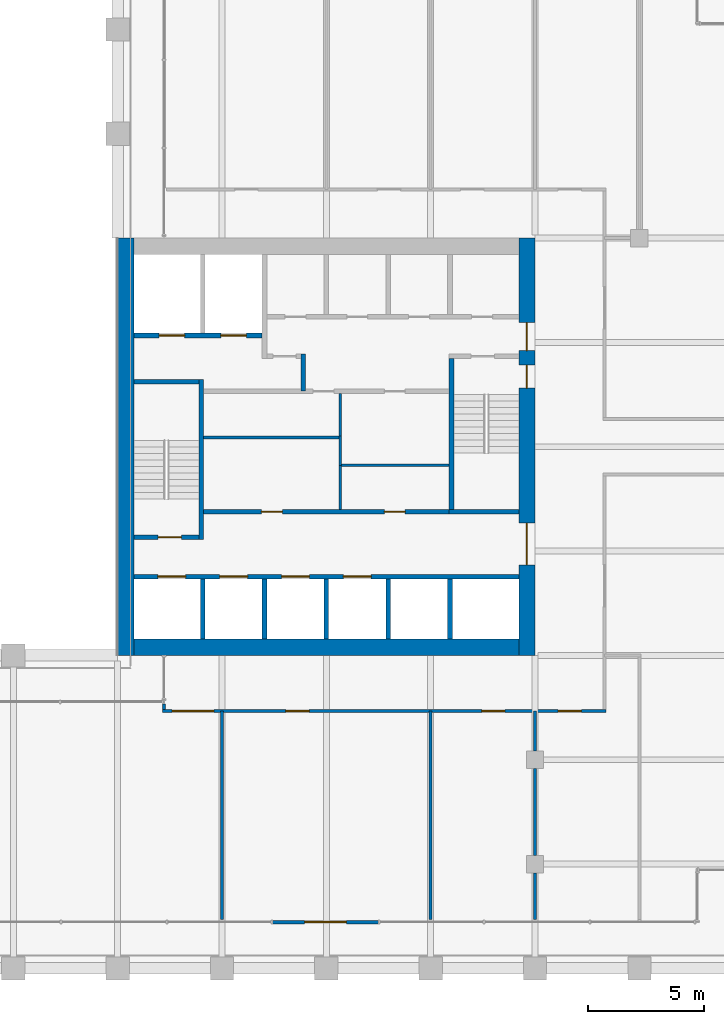
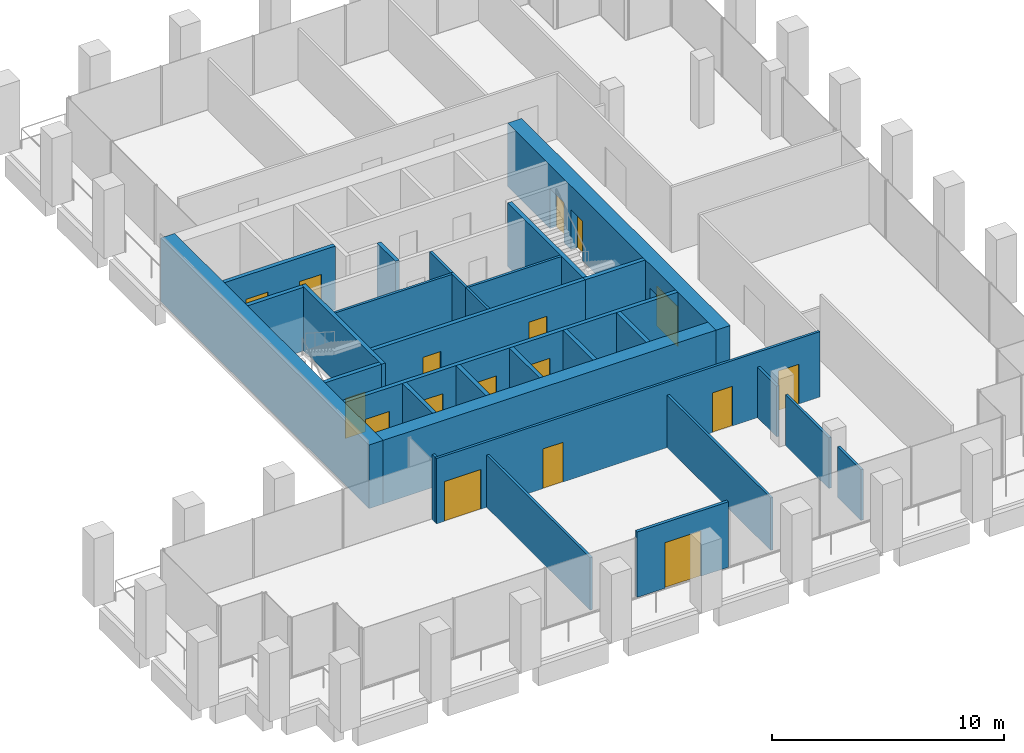
# One storey, part 41 of 46: 30 walls, 17 doors, 17 openings.
"""IFC4 building model written with IfcOpenShell, lengths in metres."""

from ifc_helpers import new_model, si_unit, direction, frame, frame_2d, origin, place, context, subcontext, project, spatial, rectangle, extrude, material, layer, layer_set, type_object, element, fill, save


model = new_model("IFC4")

# Units and contexts
model_context = context("Model", 3, precision=1e-05, world=origin(), true_north=direction((0.0, 1.0)))
body_context = subcontext(model_context, "Body", "Model", "MODEL_VIEW")
ifc_project = project(units=[si_unit("LENGTHUNIT", "METRE"), si_unit("AREAUNIT", "SQUARE_METRE"), si_unit("VOLUMEUNIT", "CUBIC_METRE"), si_unit("PLANEANGLEUNIT", "RADIAN"), si_unit("MASSUNIT", "GRAM", prefix="KILO")], contexts=[model_context])

# Site, building, storey
site_placement = place(None, origin())
site = spatial("IfcSite", under=ifc_project, at=site_placement, CompositionType="ELEMENT")
building_placement = place(site_placement, origin())
building = spatial("IfcBuilding", under=site, at=building_placement, Name="Altepetl Exchange Towers", CompositionType="ELEMENT")
storey_placement = place(building_placement, frame((0.0, 0.0, 124.39990234375)))
storey = spatial("IfcBuildingStorey", under=building, at=storey_placement, Name="L30", CompositionType="ELEMENT", Elevation=124.39990234375)

# Wall, openings, doors
ifc_material_1 = material(Name="Concrete C70/85", Category="concrete")
ifc_layer_1 = layer(ifc_material_1, 0.699951171875)
ifc_layer_set_1 = layer_set([ifc_layer_1], Name="Concrete C70/85")
wall_type_1 = type_object("IfcWallType", Name="Core wall 700 reinforced concrete", PredefinedType="SHEAR", material=ifc_layer_set_1)
wall_1_placement = place(storey_placement, frame((58.14990234375, 40.5, 0.0), z_axis=(0.0, 0.0, 1.0), x_axis=(0.0, 1.0, 0.0)))
wall_1 = element("IfcWall", 1, at=wall_1_placement, inside=storey, type_object=wall_type_1, Name="wall:A:L30:K-coreE", PredefinedType="SHEAR", context=body_context, shape_type="SweptSolid", body=[
    extrude(rectangle(XDim=18.0, YDim=0.699951171875, at=frame_2d((9.0, 0.0))), origin(), (0.0, 0.0, 1.0), 3.35009765625),
])
opening_1_placement = place(wall_1_placement, frame((13.14990234375, 0.0, 0.0)))
opening_1 = element("IfcOpeningElement", 2, at=opening_1_placement, cuts=wall_1, Name="Opening L30.A60", PredefinedType="OPENING", context=body_context, shape_type="SweptSolid", body=[
    extrude(rectangle(XDim=1.199951171875, YDim=2.10009765625, at=frame_2d((0.60009765625, 1.050048828125))), frame((0.0, 0.35986328125, 0.0), z_axis=(0.0, -1.0, 0.0), x_axis=(1.0, 0.0, 0.0)), (0.0, 0.0, 1.0), 0.719970703125),
])
opening_2_placement = place(wall_1_placement, frame((3.89990234375, 0.0, 0.0)))
opening_2 = element("IfcOpeningElement", 3, at=opening_2_placement, cuts=wall_1, Name="Opening L30.A61", PredefinedType="OPENING", context=body_context, shape_type="SweptSolid", body=[
    extrude(rectangle(XDim=1.800048828125, YDim=2.10009765625, at=frame_2d((0.89990234375, 1.050048828125))), frame((0.0, 0.35986328125, 0.0), z_axis=(0.0, -1.0, 0.0), x_axis=(1.0, 0.0, 0.0)), (0.0, 0.0, 1.0), 0.719970703125),
])
opening_3_placement = place(wall_1_placement, frame((11.52490234375, 0.0, 0.0)))
opening_3 = element("IfcOpeningElement", 4, at=opening_3_placement, cuts=wall_1, Name="Opening L30.A64", PredefinedType="OPENING", context=body_context, shape_type="SweptSolid", body=[
    extrude(rectangle(XDim=1.0, YDim=2.10009765625, at=frame_2d((0.5, 1.050048828125))), frame((0.0, 0.35986328125, 0.0), z_axis=(0.0, -1.0, 0.0), x_axis=(1.0, 0.0, 0.0)), (0.0, 0.0, 1.0), 0.719970703125),
])
ifc_material_2 = material(Name="Steel and timber fire door", Category="steel")
door_type_1 = type_object("IfcDoorType", Name="Fire door 1000 x 2100 stair and lobby", OperationType="SINGLE_SWING_LEFT", PredefinedType="DOOR", material=ifc_material_2)
door_1_placement = place(opening_3_placement, origin())
door_1 = element("IfcDoor", 5, at=door_1_placement, inside=storey, type_object=door_type_1, Name="door:A:L30:K-dS2x", OperationType="SINGLE_SWING_RIGHT", OverallHeight=2.10009765625, OverallWidth=1.0, PredefinedType="DOOR", context=body_context, shape_type="SweptSolid", body=[
    extrude(rectangle(XDim=1.0, YDim=2.10009765625, at=frame_2d((0.5, 1.050048828125))), frame((0.0, 0.02490234375, 0.0), z_axis=(0.0, -1.0, 0.0), x_axis=(1.0, 0.0, 0.0)), (0.0, 0.0, 1.0), 0.050048828125),
])
fill(opening_3, door_1)
door_type_2 = type_object("IfcDoorType", Name="Fire door 1200 x 2100 lobby entry", OperationType="SINGLE_SWING_LEFT", PredefinedType="DOOR", material=ifc_material_2)
door_2_placement = place(opening_1_placement, origin())
door_2 = element("IfcDoor", 6, at=door_2_placement, inside=storey, type_object=door_type_2, Name="door:A:L30:K-dLNE", OperationType="SINGLE_SWING_RIGHT", OverallHeight=2.10009765625, OverallWidth=1.199951171875, PredefinedType="DOOR", context=body_context, shape_type="SweptSolid", body=[
    extrude(rectangle(XDim=1.199951171875, YDim=2.10009765625, at=frame_2d((0.60009765625, 1.050048828125))), frame((0.0, 0.02490234375, 0.0), z_axis=(0.0, -1.0, 0.0), x_axis=(1.0, 0.0, 0.0)), (0.0, 0.0, 1.0), 0.050048828125),
])
fill(opening_1, door_2)
door_type_3 = type_object("IfcDoorType", Name="Fire door 1800 x 2100 lobby entry", OperationType="DOUBLE_DOOR_SINGLE_SWING", PredefinedType="DOOR", material=ifc_material_2)
door_3_placement = place(opening_2_placement, origin())
door_3 = element("IfcDoor", 7, at=door_3_placement, inside=storey, type_object=door_type_3, Name="door:A:L30:K-dLSE", OperationType="DOUBLE_DOOR_SINGLE_SWING", OverallHeight=2.10009765625, OverallWidth=1.800048828125, PredefinedType="DOOR", context=body_context, shape_type="SweptSolid", body=[
    extrude(rectangle(XDim=1.800048828125, YDim=2.10009765625, at=frame_2d((0.89990234375, 1.050048828125))), frame((0.0, 0.02490234375, 0.0), z_axis=(0.0, -1.0, 0.0), x_axis=(1.0, 0.0, 0.0)), (0.0, 0.0, 1.0), 0.050048828125),
])
fill(opening_2, door_3)

# Walls
wall_2_placement = place(storey_placement, frame((41.199951171875, 40.85009765625, 0.0)))
element("IfcWall", 8, at=wall_2_placement, inside=storey, type_object=wall_type_1, Name="wall:A:L30:K-coreS", PredefinedType="SHEAR", context=body_context, shape_type="SweptSolid", body=[
    extrude(rectangle(XDim=16.60009765625, YDim=0.699951171875, at=frame_2d((8.300048828125, 0.0))), origin(), (0.0, 0.0, 1.0), 3.35009765625),
])
ifc_layer_2 = layer(ifc_material_1, 0.699951171875)
ifc_layer_set_2 = layer_set([ifc_layer_2], Name="Concrete C70/85")
wall_type_2 = type_object("IfcWallType", Name="Core wall 700 reinforced concrete external", PredefinedType="SHEAR", material=ifc_layer_set_2)
wall_3_placement = place(storey_placement, frame((40.85009765625, 40.5, 0.0), z_axis=(0.0, 0.0, 1.0), x_axis=(0.0, 1.0, 0.0)))
element("IfcWall", 9, at=wall_3_placement, inside=storey, type_object=wall_type_2, Name="wall:A:L30:K-coreW", PredefinedType="SHEAR", context=body_context, shape_type="SweptSolid", body=[
    extrude(rectangle(XDim=18.0, YDim=0.699951171875, at=frame_2d((9.0, 0.0))), origin(), (0.0, 0.0, 1.0), 3.35009765625),
])

# Wall, opening, door
ifc_material_3 = material(Name="Aluminium composite cladding", Category="aluminium")
ifc_layer_3 = layer(ifc_material_3, 0.14990234375)
ifc_layer_set_3 = layer_set([ifc_layer_3], Name="Aluminium composite cladding")
wall_type_3 = type_object("IfcWallType", Name="Infill wall 150 aluminium panel", PredefinedType="SOLIDWALL", material=ifc_layer_set_3)
wall_4_placement = place(storey_placement, frame((47.18212890625, 29.0, 0.0)))
wall_4 = element("IfcWall", 10, at=wall_4_placement, inside=storey, type_object=wall_type_3, Name="Loggia door bay wall", PredefinedType="SOLIDWALL", context=body_context, shape_type="SweptSolid", body=[
    extrude(rectangle(XDim=4.560791015625, YDim=0.14990234375, at=frame_2d((2.2802734375, 0.0))), origin(), (0.0, 0.0, 1.0), 3.4501953125),
])
opening_4_placement = place(wall_4_placement, frame((1.38037109375, 0.0, 0.0)))
opening_4 = element("IfcOpeningElement", 11, at=opening_4_placement, cuts=wall_4, Name="Opening L30.A90", PredefinedType="OPENING", context=body_context, shape_type="SweptSolid", body=[
    extrude(rectangle(XDim=1.800048828125, YDim=2.39990234375, at=frame_2d((0.89990234375, 1.199951171875))), frame((0.0, 0.0849609375, 0.0), z_axis=(0.0, -1.0, 0.0), x_axis=(1.0, 0.0, 0.0)), (0.0, 0.0, 1.0), 0.169921875),
])
ifc_material_4 = material(Name="Aluminium 6063-T6 and glass", Category="aluminium")
door_type_4 = type_object("IfcDoorType", Name="Glazed door pair 1800x2400", OperationType="DOUBLE_DOOR_DOUBLE_SWING", PredefinedType="NOTDEFINED", material=ifc_material_4)
door_4_placement = place(opening_4_placement, frame((1.800048828125, 0.0, 0.0), x_axis=(-1.0, 0.0, 0.0)))
door_4 = element("IfcDoor", 12, at=door_4_placement, inside=storey, type_object=door_type_4, Name="Loggia door", OperationType="DOUBLE_DOOR_DOUBLE_SWING", OverallHeight=2.39990234375, OverallWidth=1.800048828125, PredefinedType="NOTDEFINED", context=body_context, shape_type="SweptSolid", body=[
    extrude(rectangle(XDim=1.800048828125, YDim=2.39990234375, at=frame_2d((0.89990234375, 1.199951171875))), frame((0.0, 0.02490234375, 0.0), z_axis=(0.0, -1.0, 0.0), x_axis=(1.0, 0.0, 0.0)), (0.0, 0.0, 1.0), 0.050048828125),
])
fill(opening_4, door_4)

# Wall
ifc_material_5 = material(Name="Concrete blockwork", Category="masonry")
ifc_layer_4 = layer(ifc_material_5, 0.199951171875)
ifc_layer_set_4 = layer_set([ifc_layer_4], Name="Concrete blockwork")
wall_type_4 = type_object("IfcWallType", Name="Lobby wall 200 blockwork", PredefinedType="PARTITIONING", material=ifc_layer_set_4)
wall_5_placement = place(storey_placement, frame((48.5, 51.89990234375, 0.0), z_axis=(0.0, 0.0, 1.0), x_axis=(0.0, 1.0, 0.0)))
element("IfcWall", 13, at=wall_5_placement, inside=storey, type_object=wall_type_4, Name="wall:A:L30:K-ffE", PredefinedType="PARTITIONING", context=body_context, shape_type="SweptSolid", body=[
    extrude(rectangle(XDim=1.60009765625, YDim=0.199951171875, at=frame_2d((0.800048828125, 0.0))), origin(), (0.0, 0.0, 1.0), 3.35009765625),
])

# Wall, openings, doors
wall_6_placement = place(storey_placement, frame((44.199951171875, 46.699951171875, 0.0)))
wall_6 = element("IfcWall", 14, at=wall_6_placement, inside=storey, type_object=wall_type_4, Name="wall:A:L30:K-zoneS", PredefinedType="PARTITIONING", context=body_context, shape_type="SweptSolid", body=[
    extrude(rectangle(XDim=10.60009765625, YDim=0.199951171875, at=frame_2d((5.300048828125, 0.0))), origin(), (0.0, 0.0, 1.0), 3.35009765625),
])
opening_5_placement = place(wall_6_placement, frame((2.5, 0.0, 0.0)))
opening_5 = element("IfcOpeningElement", 15, at=opening_5_placement, cuts=wall_6, Name="Opening L30.A70", PredefinedType="OPENING", context=body_context, shape_type="SweptSolid", body=[
    extrude(rectangle(XDim=0.89990234375, YDim=2.10009765625, at=frame_2d((0.449951171875, 1.050048828125))), frame((0.0, 0.10986328125, 0.0), z_axis=(0.0, -1.0, 0.0), x_axis=(1.0, 0.0, 0.0)), (0.0, 0.0, 1.0), 0.219970703125),
])
opening_6_placement = place(wall_6_placement, frame((7.800048828125, 0.0, 0.0)))
opening_6 = element("IfcOpeningElement", 16, at=opening_6_placement, cuts=wall_6, Name="Opening L30.A72", PredefinedType="OPENING", context=body_context, shape_type="SweptSolid", body=[
    extrude(rectangle(XDim=0.89990234375, YDim=2.10009765625, at=frame_2d((0.449951171875, 1.050048828125))), frame((0.0, 0.10986328125, 0.0), z_axis=(0.0, -1.0, 0.0), x_axis=(1.0, 0.0, 0.0)), (0.0, 0.0, 1.0), 0.219970703125),
])
door_type_5 = type_object("IfcDoorType", Name="Fire door 900 x 2100 service room", OperationType="SINGLE_SWING_LEFT", PredefinedType="DOOR", material=ifc_material_2)
door_5_placement = place(opening_5_placement, origin())
door_5 = element("IfcDoor", 17, at=door_5_placement, inside=storey, type_object=door_type_5, Name="door:A:L30:K-dz1", OperationType="SINGLE_SWING_RIGHT", OverallHeight=2.10009765625, OverallWidth=0.89990234375, PredefinedType="DOOR", context=body_context, shape_type="SweptSolid", body=[
    extrude(rectangle(XDim=0.89990234375, YDim=2.10009765625, at=frame_2d((0.449951171875, 1.050048828125))), frame((0.0, 0.02490234375, 0.0), z_axis=(0.0, -1.0, 0.0), x_axis=(1.0, 0.0, 0.0)), (0.0, 0.0, 1.0), 0.050048828125),
])
fill(opening_5, door_5)
door_6_placement = place(opening_6_placement, origin())
door_6 = element("IfcDoor", 18, at=door_6_placement, inside=storey, type_object=door_type_5, Name="door:A:L30:K-dz3", OperationType="SINGLE_SWING_RIGHT", OverallHeight=2.10009765625, OverallWidth=0.89990234375, PredefinedType="DOOR", context=body_context, shape_type="SweptSolid", body=[
    extrude(rectangle(XDim=0.89990234375, YDim=2.10009765625, at=frame_2d((0.449951171875, 1.050048828125))), frame((0.0, 0.02490234375, 0.0), z_axis=(0.0, -1.0, 0.0), x_axis=(1.0, 0.0, 0.0)), (0.0, 0.0, 1.0), 0.050048828125),
])
fill(opening_6, door_6)

# Walls
ifc_material_6 = material(Name="Gypsum board on steel studs", Category="steel")
ifc_layer_5 = layer(ifc_material_6, 0.125)
ifc_layer_set_5 = layer_set([ifc_layer_5], Name="Gypsum board on steel studs")
wall_type_5 = type_object("IfcWallType", Name="Partition 125 gypsum board on steel studs", PredefinedType="PARTITIONING", material=ifc_layer_set_5)
wall_7_placement = place(storey_placement, frame((50.10009765625, 46.800048828125, 0.0), z_axis=(0.0, 0.0, 1.0), x_axis=(0.0, 1.0, 0.0)))
element("IfcWall", 19, at=wall_7_placement, inside=storey, type_object=wall_type_5, Name="wall:A:L30:K-zp1", PredefinedType="PARTITIONING", context=body_context, shape_type="SweptSolid", body=[
    extrude(rectangle(XDim=1.96240234375, YDim=0.125, at=frame_2d((0.981201171875, 0.0))), origin(), (0.0, 0.0, 1.0), 3.35009765625),
])
wall_8_placement = place(storey_placement, frame((54.800048828125, 48.699951171875, 0.0), z_axis=(0.0, 0.0, 1.0), x_axis=(-1.0, 0.0, 0.0)))
element("IfcWall", 20, at=wall_8_placement, inside=storey, type_object=wall_type_5, Name="wall:A:L30:K-zp2", PredefinedType="PARTITIONING", context=body_context, shape_type="SweptSolid", body=[
    extrude(rectangle(XDim=4.637451171875, YDim=0.125, at=frame_2d((2.31884765625, 0.0))), origin(), (0.0, 0.0, 1.0), 3.35009765625),
])
wall_9_placement = place(storey_placement, frame((50.10009765625, 48.699951171875, 0.0), z_axis=(0.0, 0.0, 1.0), x_axis=(0.0, 1.0, 0.0)))
element("IfcWall", 21, at=wall_9_placement, inside=storey, type_object=wall_type_5, Name="wall:A:L30:K-zp3", PredefinedType="PARTITIONING", context=body_context, shape_type="SweptSolid", body=[
    extrude(rectangle(XDim=1.262451171875, YDim=0.125, at=frame_2d((0.63134765625, 0.0))), origin(), (0.0, 0.0, 1.0), 3.35009765625),
])
wall_10_placement = place(storey_placement, frame((50.03759765625, 49.89990234375, 0.0), z_axis=(0.0, 0.0, 1.0), x_axis=(-1.0, 0.0, 0.0)))
element("IfcWall", 22, at=wall_10_placement, inside=storey, type_object=wall_type_5, Name="wall:A:L30:K-zp4", PredefinedType="PARTITIONING", context=body_context, shape_type="SweptSolid", body=[
    extrude(rectangle(XDim=5.837646484375, YDim=0.125, at=frame_2d((2.9189453125, 0.0))), origin(), (0.0, 0.0, 1.0), 3.35009765625),
])
wall_11_placement = place(storey_placement, frame((50.10009765625, 49.89990234375, 0.0), z_axis=(0.0, 0.0, 1.0), x_axis=(0.0, 1.0, 0.0)))
element("IfcWall", 23, at=wall_11_placement, inside=storey, type_object=wall_type_5, Name="wall:A:L30:K-zp5", PredefinedType="PARTITIONING", context=body_context, shape_type="SweptSolid", body=[
    extrude(rectangle(XDim=1.900146484375, YDim=0.125, at=frame_2d((0.9501953125, 0.0))), origin(), (0.0, 0.0, 1.0), 3.35009765625),
])

# Wall, openings, doors
wall_12_placement = place(storey_placement, frame((42.4375, 38.10009765625, 0.0)))
wall_12 = element("IfcWall", 24, at=wall_12_placement, inside=storey, type_object=wall_type_5, Name="wall:A:L30:P01", PredefinedType="PARTITIONING", context=body_context, shape_type="SweptSolid", body=[
    extrude(rectangle(XDim=19.125, YDim=0.125, at=frame_2d((9.5625, 0.0))), origin(), (0.0, 0.0, 1.0), 3.4501953125),
])
opening_7_placement = place(wall_12_placement, frame((0.41259765625, 0.0, 0.0)))
opening_7 = element("IfcOpeningElement", 25, at=opening_7_placement, cuts=wall_12, Name="Opening L30.A01", PredefinedType="OPENING", context=body_context, shape_type="SweptSolid", body=[
    extrude(rectangle(XDim=1.800048828125, YDim=2.10009765625, at=frame_2d((0.89990234375, 1.050048828125))), frame((0.0, 0.072509765625, 0.0), z_axis=(0.0, -1.0, 0.0), x_axis=(1.0, 0.0, 0.0)), (0.0, 0.0, 1.0), 0.14501953125),
])
opening_8_placement = place(wall_12_placement, frame((5.320556640625, 0.0, 0.0)))
opening_8 = element("IfcOpeningElement", 26, at=opening_8_placement, cuts=wall_12, Name="Opening L30.A02", PredefinedType="OPENING", context=body_context, shape_type="SweptSolid", body=[
    extrude(rectangle(XDim=1.0, YDim=2.10009765625, at=frame_2d((0.5, 1.050048828125))), frame((0.0, 0.072509765625, 0.0), z_axis=(0.0, -1.0, 0.0), x_axis=(1.0, 0.0, 0.0)), (0.0, 0.0, 1.0), 0.14501953125),
])
opening_9_placement = place(wall_12_placement, frame((13.767578125, 0.0, 0.0)))
opening_9 = element("IfcOpeningElement", 27, at=opening_9_placement, cuts=wall_12, Name="Opening L30.A03", PredefinedType="OPENING", context=body_context, shape_type="SweptSolid", body=[
    extrude(rectangle(XDim=1.0, YDim=2.10009765625, at=frame_2d((0.5, 1.050048828125))), frame((0.0, 0.072509765625, 0.0), z_axis=(0.0, -1.0, 0.0), x_axis=(1.0, 0.0, 0.0)), (0.0, 0.0, 1.0), 0.14501953125),
])
opening_10_placement = place(wall_12_placement, frame((17.0625, 0.0, 0.0)))
opening_10 = element("IfcOpeningElement", 28, at=opening_10_placement, cuts=wall_12, Name="Opening L30.A04", PredefinedType="OPENING", context=body_context, shape_type="SweptSolid", body=[
    extrude(rectangle(XDim=1.0, YDim=2.10009765625, at=frame_2d((0.5, 1.050048828125))), frame((0.0, 0.072509765625, 0.0), z_axis=(0.0, -1.0, 0.0), x_axis=(1.0, 0.0, 0.0)), (0.0, 0.0, 1.0), 0.14501953125),
])
door_type_6 = type_object("IfcDoorType", Name="Fire door 1000 x 2100 single leaf", OperationType="SINGLE_SWING_LEFT", PredefinedType="DOOR", material=ifc_material_2)
door_7_placement = place(opening_8_placement, frame((1.0, 0.0, 0.0), x_axis=(-1.0, 0.0, 0.0)))
door_7 = element("IfcDoor", 29, at=door_7_placement, inside=storey, type_object=door_type_6, Name="door:A:L30:02", OperationType="SINGLE_SWING_RIGHT", OverallHeight=2.10009765625, OverallWidth=1.0, PredefinedType="DOOR", context=body_context, shape_type="SweptSolid", body=[
    extrude(rectangle(XDim=1.0, YDim=2.10009765625, at=frame_2d((0.5, 1.050048828125))), frame((0.0, 0.02490234375, 0.0), z_axis=(0.0, -1.0, 0.0), x_axis=(1.0, 0.0, 0.0)), (0.0, 0.0, 1.0), 0.050048828125),
])
fill(opening_8, door_7)
door_8_placement = place(opening_9_placement, frame((1.0, 0.0, 0.0), x_axis=(-1.0, 0.0, 0.0)))
door_8 = element("IfcDoor", 30, at=door_8_placement, inside=storey, type_object=door_type_6, Name="door:A:L30:03", OperationType="SINGLE_SWING_LEFT", OverallHeight=2.10009765625, OverallWidth=1.0, PredefinedType="DOOR", context=body_context, shape_type="SweptSolid", body=[
    extrude(rectangle(XDim=1.0, YDim=2.10009765625, at=frame_2d((0.5, 1.050048828125))), frame((0.0, 0.02490234375, 0.0), z_axis=(0.0, -1.0, 0.0), x_axis=(1.0, 0.0, 0.0)), (0.0, 0.0, 1.0), 0.050048828125),
])
fill(opening_9, door_8)
door_9_placement = place(opening_10_placement, frame((1.0, 0.0, 0.0), x_axis=(-1.0, 0.0, 0.0)))
door_9 = element("IfcDoor", 31, at=door_9_placement, inside=storey, type_object=door_type_6, Name="door:A:L30:04", OperationType="SINGLE_SWING_RIGHT", OverallHeight=2.10009765625, OverallWidth=1.0, PredefinedType="DOOR", context=body_context, shape_type="SweptSolid", body=[
    extrude(rectangle(XDim=1.0, YDim=2.10009765625, at=frame_2d((0.5, 1.050048828125))), frame((0.0, 0.02490234375, 0.0), z_axis=(0.0, -1.0, 0.0), x_axis=(1.0, 0.0, 0.0)), (0.0, 0.0, 1.0), 0.050048828125),
])
fill(opening_10, door_9)
door_type_7 = type_object("IfcDoorType", Name="Fire door 1800 x 2100 double leaf", OperationType="DOUBLE_DOOR_SINGLE_SWING", PredefinedType="DOOR", material=ifc_material_2)
door_10_placement = place(opening_7_placement, frame((1.800048828125, 0.0, 0.0), x_axis=(-1.0, 0.0, 0.0)))
door_10 = element("IfcDoor", 32, at=door_10_placement, inside=storey, type_object=door_type_7, Name="door:A:L30:01", OperationType="DOUBLE_DOOR_SINGLE_SWING", OverallHeight=2.10009765625, OverallWidth=1.800048828125, PredefinedType="DOOR", context=body_context, shape_type="SweptSolid", body=[
    extrude(rectangle(XDim=1.800048828125, YDim=2.10009765625, at=frame_2d((0.89990234375, 1.050048828125))), frame((0.0, 0.02490234375, 0.0), z_axis=(0.0, -1.0, 0.0), x_axis=(1.0, 0.0, 0.0)), (0.0, 0.0, 1.0), 0.050048828125),
])
fill(opening_7, door_10)

# Walls
wall_13_placement = place(storey_placement, frame((42.5, 38.16259765625, 0.0), z_axis=(0.0, 0.0, 1.0), x_axis=(0.0, 1.0, 0.0)))
element("IfcWall", 33, at=wall_13_placement, inside=storey, type_object=wall_type_5, Name="wall:A:L30:P07", PredefinedType="PARTITIONING", context=body_context, shape_type="SweptSolid", body=[
    extrude(rectangle(XDim=0.2373046875, YDim=0.125, at=frame_2d((0.11865234375, 0.0))), origin(), (0.0, 0.0, 1.0), 3.4501953125),
])
for number, where, z_axis, x_axis, name in (
    (34, (45.0, 29.10009765625, 0.0), (0.0, 0.0, 1.0), (0.0, 1.0, 0.0), "wall:A:L30:P08"),
    (35, (54.0, 29.10009765625, 0.0), (0.0, 0.0, 1.0), (0.0, 1.0, 0.0), "wall:A:L30:P10"),
):
    element("IfcWall", number, at=place(storey_placement, frame(where, z_axis=z_axis, x_axis=x_axis)), inside=storey, type_object=wall_type_5, Name=name, PredefinedType="PARTITIONING", context=body_context, shape_type="SweptSolid", body=[
        extrude(rectangle(XDim=9.0, YDim=0.125, at=frame_2d((4.5, 0.0))), origin(), (0.0, 0.0, 1.0), 2.76611328125),
    ])
wall_14_placement = place(storey_placement, frame((58.5, 29.10009765625, 0.0), z_axis=(0.0, 0.0, 1.0), x_axis=(0.0, 1.0, 0.0)))
element("IfcWall", 36, at=wall_14_placement, inside=storey, type_object=wall_type_5, Name="wall:A:L30:P12", PredefinedType="PARTITIONING", context=body_context, shape_type="SweptSolid", body=[
    extrude(rectangle(XDim=2.02490234375, YDim=0.125, at=frame_2d((1.012451171875, 0.0))), origin(), (0.0, 0.0, 1.0), 2.676025390625),
])
wall_15_placement = place(storey_placement, frame((58.5, 31.875, 0.0), z_axis=(0.0, 0.0, 1.0), x_axis=(0.0, 1.0, 0.0)))
element("IfcWall", 37, at=wall_15_placement, inside=storey, type_object=wall_type_5, Name="wall:A:L30:P13", PredefinedType="PARTITIONING", context=body_context, shape_type="SweptSolid", body=[
    extrude(rectangle(XDim=3.75, YDim=0.125, at=frame_2d((1.875, 0.0))), origin(), (0.0, 0.0, 1.0), 2.676025390625),
])
wall_16_placement = place(storey_placement, frame((58.5, 36.375, 0.0), z_axis=(0.0, 0.0, 1.0), x_axis=(0.0, 1.0, 0.0)))
element("IfcWall", 38, at=wall_16_placement, inside=storey, type_object=wall_type_5, Name="wall:A:L30:P14", PredefinedType="PARTITIONING", context=body_context, shape_type="SweptSolid", body=[
    extrude(rectangle(XDim=1.72509765625, YDim=0.125, at=frame_2d((0.862548828125, 0.0))), origin(), (0.0, 0.0, 1.0), 2.676025390625),
])
ifc_material_7 = material(Name="Concrete C40/50", Category="concrete")
ifc_layer_6 = layer(ifc_material_7, 0.199951171875)
ifc_layer_set_6 = layer_set([ifc_layer_6], Name="Concrete C40/50")
wall_type_6 = type_object("IfcWallType", Name="Shaft wall 200 reinforced concrete", PredefinedType="SHEAR", material=ifc_layer_set_6)
for number, where, z_axis, x_axis, name in (
    (39, (44.166748046875, 41.199951171875, 0.0), (0.0, 0.0, 1.0), (0.0, 1.0, 0.0), "wall:A:L30:K-divS1"),
    (40, (46.833251953125, 41.199951171875, 0.0), (0.0, 0.0, 1.0), (0.0, 1.0, 0.0), "wall:A:L30:K-divS2"),
    (41, (49.5, 41.199951171875, 0.0), (0.0, 0.0, 1.0), (0.0, 1.0, 0.0), "wall:A:L30:K-divS3"),
    (42, (52.166748046875, 41.199951171875, 0.0), (0.0, 0.0, 1.0), (0.0, 1.0, 0.0), "wall:A:L30:K-divS4"),
    (43, (54.833251953125, 41.199951171875, 0.0), (0.0, 0.0, 1.0), (0.0, 1.0, 0.0), "wall:A:L30:K-divS5"),
):
    element("IfcWall", number, at=place(storey_placement, frame(where, z_axis=z_axis, x_axis=x_axis)), inside=storey, type_object=wall_type_6, Name=name, PredefinedType="SHEAR", context=body_context, shape_type="SweptSolid", body=[
        extrude(rectangle(XDim=2.60009765625, YDim=0.199951171875, at=frame_2d((1.300048828125, 0.0))), origin(), (0.0, 0.0, 1.0), 3.35009765625),
    ])

# Wall, openings, doors
wall_17_placement = place(storey_placement, frame((41.199951171875, 54.300048828125, 0.0)))
wall_17 = element("IfcWall", 44, at=wall_17_placement, inside=storey, type_object=wall_type_6, Name="wall:A:L30:K-frontNd", PredefinedType="SHEAR", context=body_context, shape_type="SweptSolid", body=[
    extrude(rectangle(XDim=5.533447265625, YDim=0.199951171875, at=frame_2d((2.7666015625, 0.0))), origin(), (0.0, 0.0, 1.0), 3.35009765625),
])
opening_11_placement = place(wall_17_placement, frame((1.083251953125, 0.0, 0.0)))
opening_11 = element("IfcOpeningElement", 45, at=opening_11_placement, cuts=wall_17, Name="Opening L30.A74", PredefinedType="OPENING", context=body_context, shape_type="SweptSolid", body=[
    extrude(rectangle(XDim=1.10009765625, YDim=2.10009765625, at=frame_2d((0.550048828125, 1.050048828125))), frame((0.0, 0.10986328125, 0.0), z_axis=(0.0, -1.0, 0.0), x_axis=(1.0, 0.0, 0.0)), (0.0, 0.0, 1.0), 0.219970703125),
])
opening_12_placement = place(wall_17_placement, frame((3.75, 0.0, 0.0)))
opening_12 = element("IfcOpeningElement", 46, at=opening_12_placement, cuts=wall_17, Name="Opening L30.A75", PredefinedType="OPENING", context=body_context, shape_type="SweptSolid", body=[
    extrude(rectangle(XDim=1.10009765625, YDim=2.10009765625, at=frame_2d((0.550048828125, 1.050048828125))), frame((0.0, 0.10986328125, 0.0), z_axis=(0.0, -1.0, 0.0), x_axis=(1.0, 0.0, 0.0)), (0.0, 0.0, 1.0), 0.219970703125),
])
ifc_material_8 = material(Name="Stainless steel", Category="steel")
door_type_8 = type_object("IfcDoorType", Name="Lift landing door 1100 x 2100", OperationType="SLIDING_TO_LEFT", PredefinedType="DOOR", material=ifc_material_8)
door_11_placement = place(opening_11_placement, origin())
door_11 = element("IfcDoor", 47, at=door_11_placement, inside=storey, type_object=door_type_8, Name="Landing door FFL1", OperationType="SLIDING_TO_LEFT", OverallHeight=2.10009765625, OverallWidth=1.10009765625, PredefinedType="DOOR", context=body_context, shape_type="SweptSolid", body=[
    extrude(rectangle(XDim=1.10009765625, YDim=2.10009765625, at=frame_2d((0.550048828125, 1.050048828125))), frame((0.0, 0.02490234375, 0.0), z_axis=(0.0, -1.0, 0.0), x_axis=(1.0, 0.0, 0.0)), (0.0, 0.0, 1.0), 0.050048828125),
])
fill(opening_11, door_11)
door_12_placement = place(opening_12_placement, origin())
door_12 = element("IfcDoor", 48, at=door_12_placement, inside=storey, type_object=door_type_8, Name="Landing door FFL2", OperationType="SLIDING_TO_LEFT", OverallHeight=2.10009765625, OverallWidth=1.10009765625, PredefinedType="DOOR", context=body_context, shape_type="SweptSolid", body=[
    extrude(rectangle(XDim=1.10009765625, YDim=2.10009765625, at=frame_2d((0.550048828125, 1.050048828125))), frame((0.0, 0.02490234375, 0.0), z_axis=(0.0, -1.0, 0.0), x_axis=(1.0, 0.0, 0.0)), (0.0, 0.0, 1.0), 0.050048828125),
])
fill(opening_12, door_12)

wall_18_placement = place(storey_placement, frame((41.199951171875, 43.89990234375, 0.0)))
wall_18 = element("IfcWall", 49, at=wall_18_placement, inside=storey, type_object=wall_type_6, Name="wall:A:L30:K-frontS", PredefinedType="SHEAR", context=body_context, shape_type="SweptSolid", body=[
    extrude(rectangle(XDim=16.60009765625, YDim=0.199951171875, at=frame_2d((8.300048828125, 0.0))), origin(), (0.0, 0.0, 1.0), 3.35009765625),
])
opening_13_placement = place(wall_18_placement, frame((1.033203125, 0.0, 0.0)))
opening_13 = element("IfcOpeningElement", 50, at=opening_13_placement, cuts=wall_18, Name="Opening L30.A76", PredefinedType="OPENING", context=body_context, shape_type="SweptSolid", body=[
    extrude(rectangle(XDim=1.199951171875, YDim=2.10009765625, at=frame_2d((0.60009765625, 1.050048828125))), frame((0.0, 0.10986328125, 0.0), z_axis=(0.0, -1.0, 0.0), x_axis=(1.0, 0.0, 0.0)), (0.0, 0.0, 1.0), 0.219970703125),
])
opening_14_placement = place(wall_18_placement, frame((3.699951171875, 0.0, 0.0)))
opening_14 = element("IfcOpeningElement", 51, at=opening_14_placement, cuts=wall_18, Name="Opening L30.A77", PredefinedType="OPENING", context=body_context, shape_type="SweptSolid", body=[
    extrude(rectangle(XDim=1.199951171875, YDim=2.10009765625, at=frame_2d((0.60009765625, 1.050048828125))), frame((0.0, 0.10986328125, 0.0), z_axis=(0.0, -1.0, 0.0), x_axis=(1.0, 0.0, 0.0)), (0.0, 0.0, 1.0), 0.219970703125),
])
opening_15_placement = place(wall_18_placement, frame((6.36669921875, 0.0, 0.0)))
opening_15 = element("IfcOpeningElement", 52, at=opening_15_placement, cuts=wall_18, Name="Opening L30.A78", PredefinedType="OPENING", context=body_context, shape_type="SweptSolid", body=[
    extrude(rectangle(XDim=1.199951171875, YDim=2.10009765625, at=frame_2d((0.60009765625, 1.050048828125))), frame((0.0, 0.10986328125, 0.0), z_axis=(0.0, -1.0, 0.0), x_axis=(1.0, 0.0, 0.0)), (0.0, 0.0, 1.0), 0.219970703125),
])
opening_16_placement = place(wall_18_placement, frame((9.033203125, 0.0, 0.0)))
opening_16 = element("IfcOpeningElement", 53, at=opening_16_placement, cuts=wall_18, Name="Opening L30.A79", PredefinedType="OPENING", context=body_context, shape_type="SweptSolid", body=[
    extrude(rectangle(XDim=1.199951171875, YDim=2.10009765625, at=frame_2d((0.60009765625, 1.050048828125))), frame((0.0, 0.10986328125, 0.0), z_axis=(0.0, -1.0, 0.0), x_axis=(1.0, 0.0, 0.0)), (0.0, 0.0, 1.0), 0.219970703125),
])
door_type_9 = type_object("IfcDoorType", Name="Lift landing door 1200 x 2100", OperationType="SLIDING_TO_LEFT", PredefinedType="DOOR", material=ifc_material_8)
door_13_placement = place(opening_13_placement, origin())
door_13 = element("IfcDoor", 54, at=door_13_placement, inside=storey, type_object=door_type_9, Name="Landing door P1", OperationType="SLIDING_TO_LEFT", OverallHeight=2.10009765625, OverallWidth=1.199951171875, PredefinedType="DOOR", context=body_context, shape_type="SweptSolid", body=[
    extrude(rectangle(XDim=1.199951171875, YDim=2.10009765625, at=frame_2d((0.60009765625, 1.050048828125))), frame((0.0, 0.02490234375, 0.0), z_axis=(0.0, -1.0, 0.0), x_axis=(1.0, 0.0, 0.0)), (0.0, 0.0, 1.0), 0.050048828125),
])
fill(opening_13, door_13)
door_14_placement = place(opening_14_placement, origin())
door_14 = element("IfcDoor", 55, at=door_14_placement, inside=storey, type_object=door_type_9, Name="Landing door P2", OperationType="SLIDING_TO_LEFT", OverallHeight=2.10009765625, OverallWidth=1.199951171875, PredefinedType="DOOR", context=body_context, shape_type="SweptSolid", body=[
    extrude(rectangle(XDim=1.199951171875, YDim=2.10009765625, at=frame_2d((0.60009765625, 1.050048828125))), frame((0.0, 0.02490234375, 0.0), z_axis=(0.0, -1.0, 0.0), x_axis=(1.0, 0.0, 0.0)), (0.0, 0.0, 1.0), 0.050048828125),
])
fill(opening_14, door_14)
door_15_placement = place(opening_15_placement, origin())
door_15 = element("IfcDoor", 56, at=door_15_placement, inside=storey, type_object=door_type_9, Name="Landing door P3", OperationType="SLIDING_TO_LEFT", OverallHeight=2.10009765625, OverallWidth=1.199951171875, PredefinedType="DOOR", context=body_context, shape_type="SweptSolid", body=[
    extrude(rectangle(XDim=1.199951171875, YDim=2.10009765625, at=frame_2d((0.60009765625, 1.050048828125))), frame((0.0, 0.02490234375, 0.0), z_axis=(0.0, -1.0, 0.0), x_axis=(1.0, 0.0, 0.0)), (0.0, 0.0, 1.0), 0.050048828125),
])
fill(opening_15, door_15)
door_16_placement = place(opening_16_placement, origin())
door_16 = element("IfcDoor", 57, at=door_16_placement, inside=storey, type_object=door_type_9, Name="Landing door P4", OperationType="SLIDING_TO_LEFT", OverallHeight=2.10009765625, OverallWidth=1.199951171875, PredefinedType="DOOR", context=body_context, shape_type="SweptSolid", body=[
    extrude(rectangle(XDim=1.199951171875, YDim=2.10009765625, at=frame_2d((0.60009765625, 1.050048828125))), frame((0.0, 0.02490234375, 0.0), z_axis=(0.0, -1.0, 0.0), x_axis=(1.0, 0.0, 0.0)), (0.0, 0.0, 1.0), 0.050048828125),
])
fill(opening_16, door_16)

# Walls
ifc_layer_7 = layer(ifc_material_7, 0.199951171875)
ifc_layer_set_7 = layer_set([ifc_layer_7], Name="Concrete C40/50")
wall_type_7 = type_object("IfcWallType", Name="Stair wall 200 reinforced concrete", PredefinedType="SHEAR", material=ifc_layer_set_7)
wall_19_placement = place(storey_placement, frame((44.10009765625, 45.5, 0.0), z_axis=(0.0, 0.0, 1.0), x_axis=(0.0, 1.0, 0.0)))
element("IfcWall", 58, at=wall_19_placement, inside=storey, type_object=wall_type_7, Name="wall:A:L30:K-stS1E", PredefinedType="SHEAR", context=body_context, shape_type="SweptSolid", body=[
    extrude(rectangle(XDim=6.89990234375, YDim=0.199951171875, at=frame_2d((3.449951171875, 0.0))), origin(), (0.0, 0.0, 1.0), 3.35009765625),
])
wall_20_placement = place(storey_placement, frame((41.199951171875, 52.300048828125, 0.0)))
element("IfcWall", 59, at=wall_20_placement, inside=storey, type_object=wall_type_7, Name="wall:A:L30:K-stS1N", PredefinedType="SHEAR", context=body_context, shape_type="SweptSolid", body=[
    extrude(rectangle(XDim=2.800048828125, YDim=0.199951171875, at=frame_2d((1.39990234375, 0.0))), origin(), (0.0, 0.0, 1.0), 3.35009765625),
])

# Wall, opening, door
wall_21_placement = place(storey_placement, frame((41.199951171875, 45.60009765625, 0.0)))
wall_21 = element("IfcWall", 60, at=wall_21_placement, inside=storey, type_object=wall_type_7, Name="wall:A:L30:K-stS1S", PredefinedType="SHEAR", context=body_context, shape_type="SweptSolid", body=[
    extrude(rectangle(XDim=2.800048828125, YDim=0.199951171875, at=frame_2d((1.39990234375, 0.0))), origin(), (0.0, 0.0, 1.0), 3.35009765625),
])
opening_17_placement = place(wall_21_placement, frame((1.050048828125, 0.0, 0.0)))
opening_17 = element("IfcOpeningElement", 61, at=opening_17_placement, cuts=wall_21, Name="Opening L30.A62", PredefinedType="OPENING", context=body_context, shape_type="SweptSolid", body=[
    extrude(rectangle(XDim=1.0, YDim=2.10009765625, at=frame_2d((0.5, 1.050048828125))), frame((0.0, 0.10986328125, 0.0), z_axis=(0.0, -1.0, 0.0), x_axis=(1.0, 0.0, 0.0)), (0.0, 0.0, 1.0), 0.219970703125),
])
door_17_placement = place(opening_17_placement, origin())
door_17 = element("IfcDoor", 62, at=door_17_placement, inside=storey, type_object=door_type_1, Name="door:A:L30:K-dS1in", OperationType="SINGLE_SWING_RIGHT", OverallHeight=2.10009765625, OverallWidth=1.0, PredefinedType="DOOR", context=body_context, shape_type="SweptSolid", body=[
    extrude(rectangle(XDim=1.0, YDim=2.10009765625, at=frame_2d((0.5, 1.050048828125))), frame((0.0, 0.02490234375, 0.0), z_axis=(0.0, -1.0, 0.0), x_axis=(1.0, 0.0, 0.0)), (0.0, 0.0, 1.0), 0.050048828125),
])
fill(opening_17, door_17)

# Walls
wall_22_placement = place(storey_placement, frame((54.800048828125, 46.699951171875, 0.0)))
element("IfcWall", 63, at=wall_22_placement, inside=storey, type_object=wall_type_7, Name="wall:A:L30:K-stS2S", PredefinedType="SHEAR", context=body_context, shape_type="SweptSolid", body=[
    extrude(rectangle(XDim=3.0, YDim=0.199951171875, at=frame_2d((1.5, 0.0))), origin(), (0.0, 0.0, 1.0), 3.35009765625),
])
wall_23_placement = place(storey_placement, frame((54.89990234375, 46.800048828125, 0.0), z_axis=(0.0, 0.0, 1.0), x_axis=(0.0, 1.0, 0.0)))
element("IfcWall", 64, at=wall_23_placement, inside=storey, type_object=wall_type_7, Name="wall:A:L30:K-stS2W", PredefinedType="SHEAR", context=body_context, shape_type="SweptSolid", body=[
    extrude(rectangle(XDim=6.5, YDim=0.199951171875, at=frame_2d((3.25, 0.0))), origin(), (0.0, 0.0, 1.0), 3.35009765625),
])

save(model, "model.ifc")
